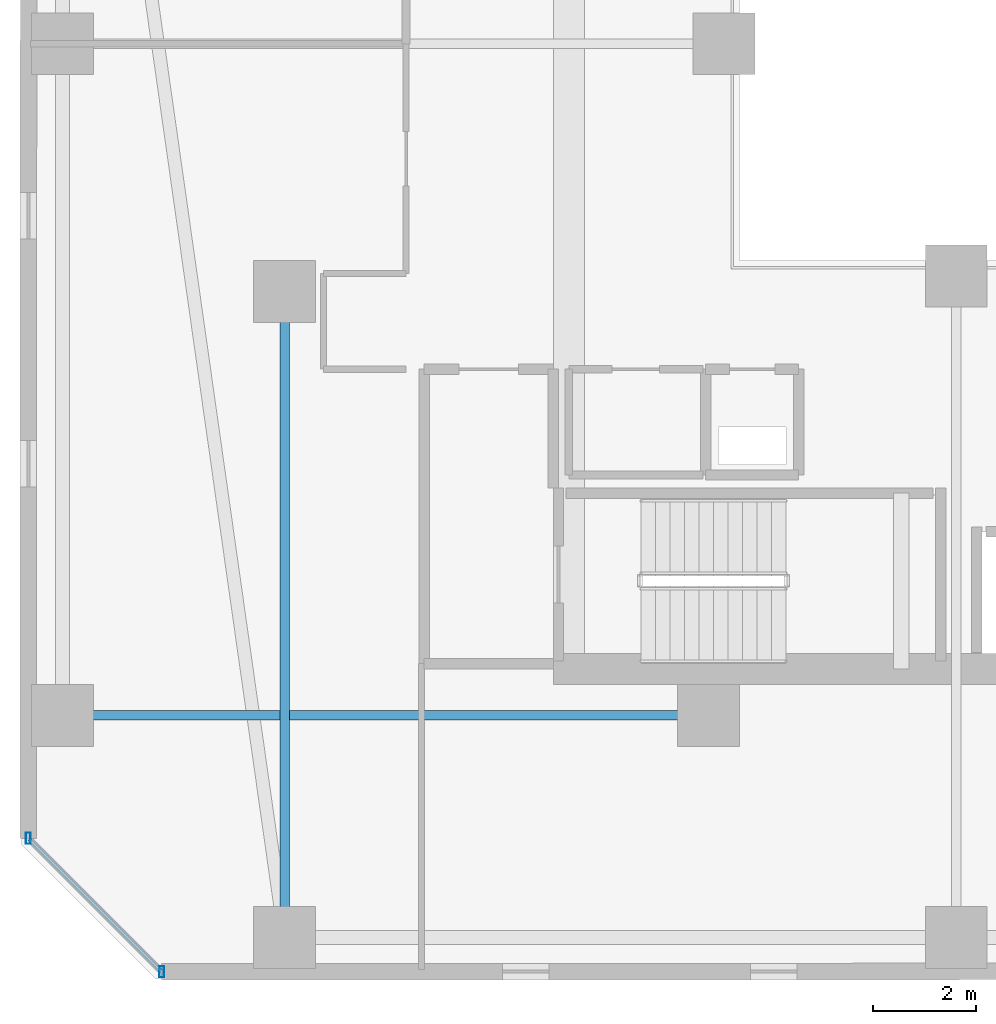
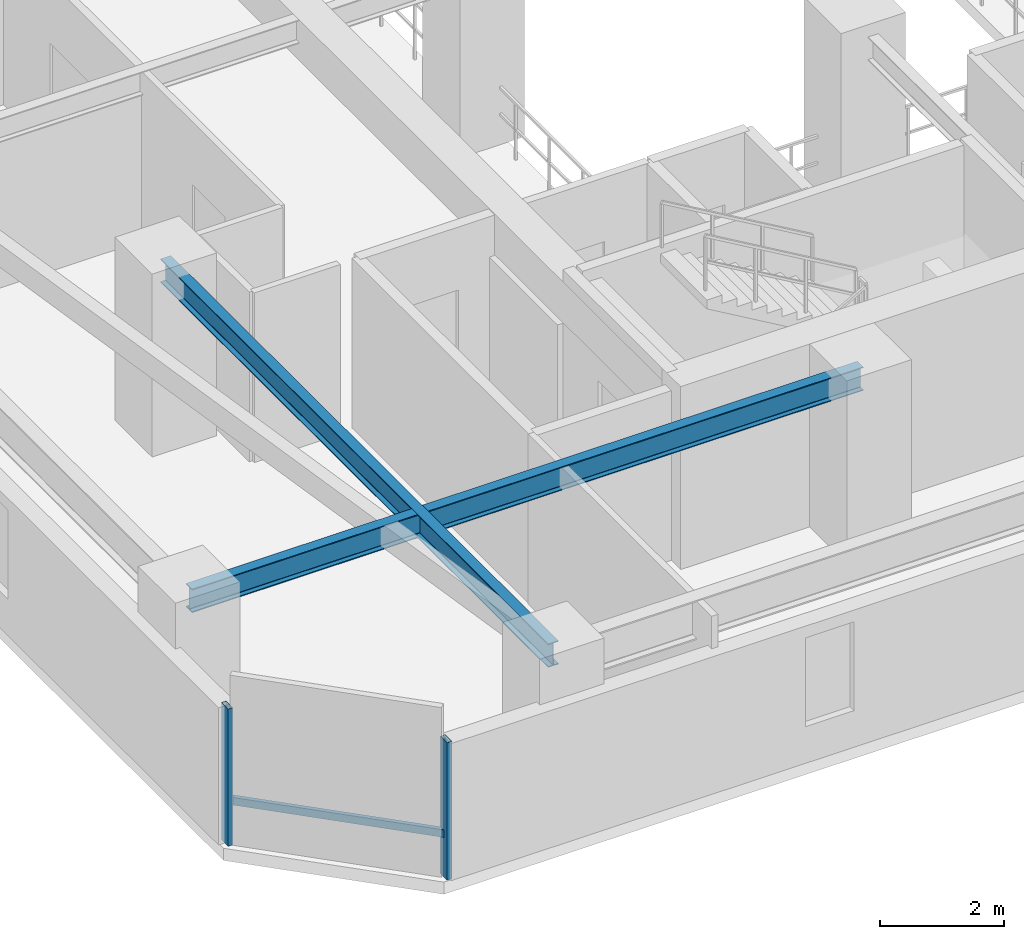
# One storey, part 3 of 30: 3 members, 2 beams, 1 element without a shape of its own.
"""IFC4 building model written with IfcOpenShell, lengths in metres."""

import ifcopenshell
import ifcopenshell.guid

model = None  # the IFC model being written
_history = None  # IfcOwnerHistory: only IFC2X3 demands one
_inside = {}  # id of a spatial element -> (the spatial element, [elements in it])
_under = {}  # id of a project, library or spatial element -> (it, [spatial elements below it])
_declared = {}  # id of a project -> (the project, [libraries it declares])
_typed = {}  # id of a type object -> (the type object, [elements of that type])
_made_of = {}  # id of a material, layer set ... -> (it, [elements and type objects made of it])


def new_model(schema):
    """Start an empty IFC model of exactly this schema.

    Asked for "IFC4X3", IfcOpenShell would pick the latest addendum, in which some entities
    have other attributes; the version numbers below select the first issue.
    IFC2X3 requires an IfcOwnerHistory on every rooted entity: one is made here for all.
    """
    global model, _history
    if schema == "IFC4X3":
        model = ifcopenshell.file(schema_version=(4, 3, 0, 0))
    else:
        model = ifcopenshell.file(schema=schema)
    _inside.clear()
    _under.clear()
    _declared.clear()
    _typed.clear()
    _made_of.clear()
    _history = None
    if model.schema == "IFC2X3":
        org = make("IfcOrganization", Name="unknown")
        user = make(
            "IfcPersonAndOrganization",
            ThePerson=make("IfcPerson", FamilyName="unknown"),
            TheOrganization=org,
        )
        app = make(
            "IfcApplication",
            ApplicationDeveloper=org,
            Version="unknown",
            ApplicationFullName="unknown",
            ApplicationIdentifier="unknown",
        )
        _history = make(
            "IfcOwnerHistory",
            OwningUser=user,
            OwningApplication=app,
            ChangeAction="ADDED",
            CreationDate=0,
        )
    return model


def make(cls, **values):
    """One entity of the class cls with the attributes given. An attribute that is None is left unset."""
    return model.create_entity(
        cls, **{name: value for name, value in values.items() if value is not None}
    )


def rooted(cls, **values):
    """An entity with a GlobalId (a new one), such as an element, a storey or a relation."""
    return make(cls, GlobalId=ifcopenshell.guid.new(), OwnerHistory=_history, **values)


def si_unit(unit_type, name, prefix=None):
    """IfcSIUnit, for example si_unit("LENGTHUNIT", "METRE", prefix="MILLI")."""
    return make("IfcSIUnit", UnitType=unit_type, Prefix=prefix, Name=name)


def assignment(units):
    """IfcUnitAssignment: the units of a project."""
    return None if units is None else make("IfcUnitAssignment", Units=units)


def point(xyz):
    """IfcCartesianPoint."""
    return None if xyz is None else make("IfcCartesianPoint", Coordinates=xyz)


def direction(xyz):
    """IfcDirection."""
    return None if xyz is None else make("IfcDirection", DirectionRatios=xyz)


def frame(location, z_axis=None, x_axis=None):
    """IfcAxis2Placement3D, a coordinate frame: its origin and axes. An axis left out is left unset."""
    return make(
        "IfcAxis2Placement3D",
        Location=point(location),
        Axis=direction(z_axis),
        RefDirection=direction(x_axis),
    )


def frame_2d(location, x_axis=None):
    """IfcAxis2Placement2D, a coordinate frame in the plane: its origin and x axis."""
    return make(
        "IfcAxis2Placement2D", Location=point(location), RefDirection=direction(x_axis)
    )


def origin():
    """The frame at (0, 0, 0) with its axes left unset."""
    return frame((0.0, 0.0, 0.0))


def origin_2d():
    """The frame at (0, 0) in the plane with its x axis left unset."""
    return frame_2d((0.0, 0.0))


def place(relative_to, where):
    """IfcLocalPlacement: puts the frame where relative to a parent placement (None: the world)."""
    return make(
        "IfcLocalPlacement", PlacementRelTo=relative_to, RelativePlacement=where
    )


def context(
    kind, dimensions, precision=None, world=None, true_north=None, identifier=None
):
    """IfcGeometricRepresentationContext, for example the 3D "Model" context."""
    return make(
        "IfcGeometricRepresentationContext",
        ContextIdentifier=identifier,
        ContextType=kind,
        CoordinateSpaceDimension=dimensions,
        Precision=precision,
        WorldCoordinateSystem=world,
        TrueNorth=true_north,
    )


def subcontext(parent, identifier, kind, view, scale=None):
    """IfcGeometricRepresentationSubContext, for example "Body" below "Model"."""
    return make(
        "IfcGeometricRepresentationSubContext",
        ContextIdentifier=identifier,
        ContextType=kind,
        ParentContext=parent,
        TargetScale=scale,
        TargetView=view,
    )


def project(units=None, contexts=None):
    """IfcProject with its units and contexts."""
    return rooted(
        "IfcProject",
        Name="project",
        RepresentationContexts=contexts,
        UnitsInContext=assignment(units),
    )


def spatial(cls, under=None, at=None, **own):
    """A site, building, storey or space (cls), placed at a placement, below another one or the project."""
    s = rooted(cls, ObjectPlacement=at, **own)
    if under is not None:
        _under.setdefault(under.id(), (under, []))[1].append(s)
    return s


def profile(cls, at=None, kind="AREA", **sizes):
    """A parametric profile (cls). Its sizes go by their IFC names, for example OverallWidth=200.0."""
    return make(cls, ProfileType=kind, Position=at, **sizes)


def hollow_rectangle(**sizes):
    """IfcRectangleHollowProfileDef."""
    return profile("IfcRectangleHollowProfileDef", **sizes)


def i_section(**sizes):
    """IfcIShapeProfileDef."""
    return profile("IfcIShapeProfileDef", **sizes)


def extrude(swept, where, along, depth):
    """IfcExtrudedAreaSolid: the profile swept, set in the frame where, extruded along a direction by depth."""
    return make(
        "IfcExtrudedAreaSolid",
        SweptArea=swept,
        Position=where,
        ExtrudedDirection=direction(along),
        Depth=depth,
    )


def shape(context_of_items, identifier, shape_type, items):
    """IfcShapeRepresentation: the items that make up one representation, for example the "Body"."""
    return make(
        "IfcShapeRepresentation",
        ContextOfItems=context_of_items,
        RepresentationIdentifier=identifier,
        RepresentationType=shape_type,
        Items=items,
    )


def material(Name=None, Category=None):
    """IfcMaterial."""
    return make("IfcMaterial", Name=Name, Category=Category)


def material_profile(
    of_material, cross_section, Name=None, Category=None, Priority=None
):
    """IfcMaterialProfile: a cross section and its material."""
    return make(
        "IfcMaterialProfile",
        Name=Name,
        Material=of_material,
        Profile=cross_section,
        Priority=Priority,
        Category=Category,
    )


def profile_set(profiles, Name=None, composite=None):
    """IfcMaterialProfileSet."""
    return make(
        "IfcMaterialProfileSet",
        Name=Name,
        MaterialProfiles=profiles,
        CompositeProfile=composite,
    )


def made_of(thing, what):
    """Note that an element or type object is made of a material, layer set ...; save() writes the relation."""
    if what is not None:
        _made_of.setdefault(what.id(), (what, []))[1].append(thing)
    return thing


def type_object(cls, material=None, **own):
    """A type object (cls), such as IfcWallType, which elements share."""
    return made_of(rooted(cls, **own), material)


def element(
    cls,
    number,
    at=None,
    inside=None,
    cuts=None,
    type_object=None,
    material=None,
    context=None,
    identifier="Body",
    shape_type=None,
    held_by="IfcProductDefinitionShape",
    body=None,
    shapes=None,
    **own,
):
    """One element of the class cls, such as IfcWall. Its Tag is "e" and its number.

    at: its placement. inside: the storey or other place that contains it. cuts: it is an
    opening in that element (IfcRelVoidsElement). A single representation is given by context,
    identifier, shape_type and body (its items); several are given by shapes. held_by: the class
    of the entity that holds the representations. save() writes the other relations.
    """
    e = rooted(cls, Tag="e%d" % number, ObjectPlacement=at, **own)
    if body is not None:
        shapes = [shape(context, identifier, shape_type, body)]
    if shapes is not None:
        e.Representation = make(held_by, Representations=shapes)
    if inside is not None:
        _inside.setdefault(inside.id(), (inside, []))[1].append(e)
    if cuts is not None:
        rooted(
            "IfcRelVoidsElement", RelatingBuildingElement=cuts, RelatedOpeningElement=e
        )
    if type_object is not None:
        _typed.setdefault(type_object.id(), (type_object, []))[1].append(e)
    return made_of(e, material)


def aggregate(whole, parts):
    """IfcRelAggregates: a whole, such as a stair, and the parts it consists of."""
    return rooted("IfcRelAggregates", RelatingObject=whole, RelatedObjects=parts)


def save(model, path):
    """Write the relations noted so far, then the file.

    IfcRelAggregates (storeys below a building ...), IfcRelContainedInSpatialStructure (elements
    in a storey), IfcRelDefinesByType, IfcRelAssociatesMaterial and IfcRelDeclares: one each for
    every whole, place, type object, material and project.
    """
    for whole, parts in _under.values():
        aggregate(whole, parts)
    for where, things in _inside.values():
        rooted(
            "IfcRelContainedInSpatialStructure",
            RelatedElements=things,
            RelatingStructure=where,
        )
    for kind, things in _typed.values():
        rooted("IfcRelDefinesByType", RelatedObjects=things, RelatingType=kind)
    for what, things in _made_of.values():
        rooted("IfcRelAssociatesMaterial", RelatedObjects=things, RelatingMaterial=what)
    for by, libraries in _declared.values():
        rooted("IfcRelDeclares", RelatingContext=by, RelatedDefinitions=libraries)
    model.write(path)


model = new_model("IFC4")

# Units and contexts
model_context = context("Model", 3, precision=1e-05, world=origin(), true_north=direction((0.0, 1.0)))
body_context = subcontext(model_context, "Body", "Model", "MODEL_VIEW")
ifc_project = project(units=[si_unit("LENGTHUNIT", "METRE"), si_unit("AREAUNIT", "SQUARE_METRE"), si_unit("VOLUMEUNIT", "CUBIC_METRE"), si_unit("PLANEANGLEUNIT", "RADIAN"), si_unit("MASSUNIT", "GRAM", prefix="KILO")], contexts=[model_context])

# Site, building, storey
site_placement = place(None, origin())
site = spatial("IfcSite", under=ifc_project, at=site_placement, CompositionType="ELEMENT")
building_placement = place(site_placement, origin())
building = spatial("IfcBuilding", under=site, at=building_placement, Name="Thornwick Lancets Civic Towers", CompositionType="ELEMENT")
storey_placement = place(building_placement, frame((0.0, 0.0, 80.10009765625)))
storey = spatial("IfcBuildingStorey", under=building, at=storey_placement, Name="L20", CompositionType="ELEMENT", Elevation=80.10009765625)

# Beams
ifc_material_1 = material(Name="Steel S355JR", Category="steel")
ifc_material_profile_1 = material_profile(ifc_material_1, i_section(OverallWidth=0.19189453125, OverallDepth=0.46337890625, WebThickness=0.010498046875, FlangeThickness=0.017578125, FilletRadius=0.01025390625, at=origin_2d()), Name="UKB 457x191x89")
ifc_profile_set_1 = profile_set([ifc_material_profile_1], Name="Steel S355JR")
beam_type = type_object("IfcBeamType", Name="BM_JOIST_457_89", PredefinedType="JOIST", material=ifc_profile_set_1)
for number, where, z_axis, x_axis, name in (
    (1, (12.5, 22.199951171875, 3.128173828125), (0.0, -1.0, 0.0), (1.0, 0.0, 0.0), "BM-RADIN-L20-A01"),
    (2, (20.699951171875, 14.0, 3.128173828125), (-1.0, 0.0, 0.0), (0.0, -1.0, 0.0), "BM-RADIN-L20-A10"),
):
    element("IfcBeam", number, at=place(storey_placement, frame(where, z_axis=z_axis, x_axis=x_axis)), inside=storey, type_object=beam_type, Name=name, PredefinedType="JOIST", context=body_context, shape_type="SweptSolid", body=[
        extrude(i_section(OverallWidth=0.19189453125, OverallDepth=0.46337890625, WebThickness=0.010498046875, FlangeThickness=0.017578125, FilletRadius=0.01025390625, at=origin_2d()), origin(), (0.0, 0.0, 1.0), 12.5),
    ])

# Curtain wall, members
ifc_material_2 = material(Name="Low-zone chamfered-corner unitised glass curtain wall", Category="glass")
curtain_wall_type = type_object("IfcCurtainWallType", Name="CW_SYS_03", PredefinedType="NOTDEFINED", material=ifc_material_2)
curtain_wall_placement = place(storey_placement, origin())
curtain_wall = element("IfcCurtainWall", 3, at=curtain_wall_placement, inside=storey, type_object=curtain_wall_type, Name="L20 Curtain Wall CW-L20-A-E7", PredefinedType="NOTDEFINED")
ifc_material_3 = material(Name="Thermally broken bronze aluminium S355", Category="steel")
ifc_material_profile_2 = material_profile(ifc_material_3, hollow_rectangle(XDim=0.090087890625, YDim=0.219970703125, WallThickness=0.00634765625, at=origin_2d()), Name="RHS 220x90x6.3")
ifc_profile_set_2 = profile_set([ifc_material_profile_2], Name="Thermally broken bronze aluminium S355")
member_type_1 = type_object("IfcMemberType", Name="CW_MUL_220", PredefinedType="MULLION", material=ifc_profile_set_2)
member_1_placement = place(storey_placement, frame((7.535400390625, 11.61865234375, 0.0), z_axis=(0.0, 0.0, 1.0), x_axis=(1.0, 0.0, 0.0)))
member_1 = element("IfcMember", 4, at=member_1_placement, type_object=member_type_1, Name="CW-L20-A-E7 Mullion 0", PredefinedType="MULLION", context=body_context, shape_type="SweptSolid", body=[
    extrude(hollow_rectangle(XDim=0.090087890625, YDim=0.219970703125, WallThickness=0.00634765625, at=origin_2d()), origin(), (0.0, 0.0, 1.0), 2.699951171875),
])
member_2_placement = place(storey_placement, frame((10.11865234375, 9.035400390625, 0.0), z_axis=(0.0, 0.0, 1.0), x_axis=(1.0, 0.0, 0.0)))
member_2 = element("IfcMember", 5, at=member_2_placement, type_object=member_type_1, Name="CW-L20-A-E7 Mullion 1", PredefinedType="MULLION", context=body_context, shape_type="SweptSolid", body=[
    extrude(hollow_rectangle(XDim=0.090087890625, YDim=0.219970703125, WallThickness=0.00634765625, at=origin_2d()), origin(), (0.0, 0.0, 1.0), 2.699951171875),
])
ifc_material_profile_3 = material_profile(ifc_material_3, hollow_rectangle(XDim=0.074951171875, YDim=0.14990234375, WallThickness=0.0048828125, at=origin_2d()), Name="RHS 150x75x5")
ifc_profile_set_3 = profile_set([ifc_material_profile_3], Name="Thermally broken bronze aluminium S355")
member_type_2 = type_object("IfcMemberType", Name="CW_TRN_150", PredefinedType="USERDEFINED", material=ifc_profile_set_3)
member_3_placement = place(storey_placement, frame((7.54931640625, 11.6044921875, 0.849853515625), z_axis=(0.707106781187, -0.707106781187, 0.0), x_axis=(0.707106781187, 0.707106781187, 0.0)))
member_3 = element("IfcMember", 6, at=member_3_placement, type_object=member_type_2, Name="CW-L20-A-E7 Transom 0", ObjectType="TRANSOM", PredefinedType="USERDEFINED", context=body_context, shape_type="SweptSolid", body=[
    extrude(hollow_rectangle(XDim=0.074951171875, YDim=0.14990234375, WallThickness=0.0048828125, at=origin_2d()), origin(), (0.0, 0.0, 1.0), 3.613525390625),
])
aggregate(curtain_wall, [member_1, member_2, member_3])

save(model, "model.ifc")
